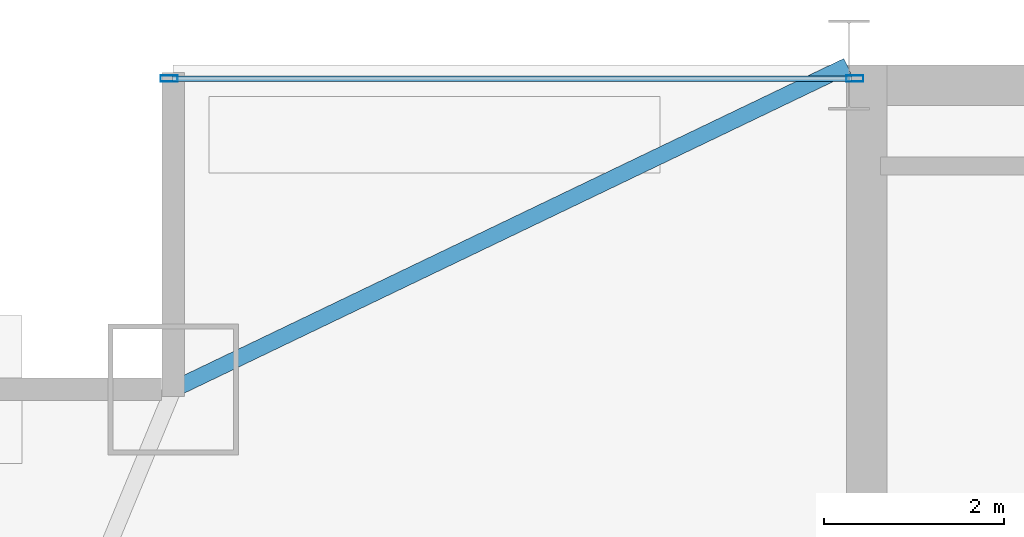
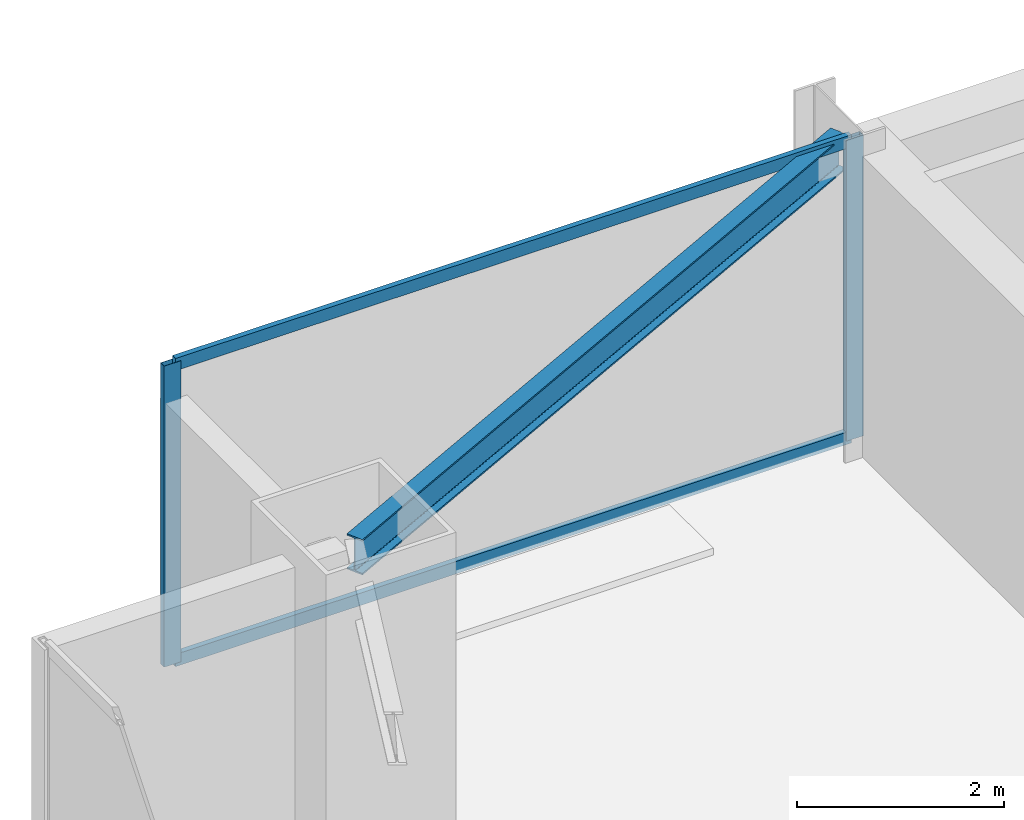
# One storey, part 22 of 35: 4 members, 1 beam, 1 element without a shape of its own.
"""IFC4 building model written with IfcOpenShell, lengths in metres."""

from ifc_helpers import new_model, si_unit, direction, frame, origin, origin_2d, place, context, subcontext, project, spatial, hollow_rectangle, i_section, extrude, source, transform, mapped, material, layer, layer_set, material_profile, profile_set, type_object, type_shapes, element, aggregate, save


model = new_model("IFC4")

# Units and contexts
model_context = context("Model", 3, precision=1e-05, world=origin(), true_north=direction((0.0, 1.0)))
body_context = subcontext(model_context, "Body", "Model", "MODEL_VIEW")
ifc_project = project(units=[si_unit("LENGTHUNIT", "METRE"), si_unit("AREAUNIT", "SQUARE_METRE"), si_unit("VOLUMEUNIT", "CUBIC_METRE"), si_unit("PLANEANGLEUNIT", "RADIAN"), si_unit("MASSUNIT", "GRAM", prefix="KILO")], contexts=[model_context])

# Site, building, storey
site_placement = place(None, origin())
site = spatial("IfcSite", under=ifc_project, at=site_placement, CompositionType="ELEMENT")
building_placement = place(site_placement, origin())
building = spatial("IfcBuilding", under=site, at=building_placement, Name="Varnel Quay Broadcast Tower", CompositionType="ELEMENT")
storey_placement = place(building_placement, frame((0.0, 0.0, 87.0)))
storey = spatial("IfcBuildingStorey", under=building, at=storey_placement, Name="L20", CompositionType="ELEMENT", Elevation=87.0)

# Beam
ifc_material_1 = material(Name="Structural Steel CSA G40.21 350W", Category="steel")
ifc_material_profile_1 = material_profile(ifc_material_1, i_section(OverallWidth=0.180908203125, OverallDepth=0.4169921875, WebThickness=0.010986328125, FlangeThickness=0.018310546875, FilletRadius=0.011962890625, at=origin_2d()), Name="W410X85")
ifc_profile_set_1 = profile_set([ifc_material_profile_1], Name="Structural Steel CSA G40.21 350W")
beam_type = type_object("IfcBeamType", Name="Beam_W410X85", PredefinedType="SPANDREL", material=ifc_profile_set_1)
shared_shape_1 = source(origin(), body_context, "Body", "SweptSolid", [
    extrude(i_section(OverallWidth=0.180908203125, OverallDepth=0.4169921875, WebThickness=0.010986328125, FlangeThickness=0.018310546875, FilletRadius=0.011962890625, at=origin_2d()), origin(), (0.0, 0.0, 1.0), 8.279296875),
])
type_shapes(beam_type, [shared_shape_1])
beam_placement = place(storey_placement, frame((8.117919921875, 43.208740234375, 3.341552734375), z_axis=(0.901535021024, 0.432706142626, 0.0), x_axis=(-0.432706142626, 0.901535021024, 0.0)))
element("IfcBeam", 1, at=beam_placement, inside=storey, type_object=beam_type, Name="L20 NW Tie Spandrel", PredefinedType="SPANDREL", context=body_context, shape_type="MappedRepresentation", body=[
    mapped(shared_shape_1, transform((0.0, 0.0, 0.0), x_axis=(1.0, 0.0, 0.0), y_axis=(0.0, 1.0, 0.0), z_axis=(0.0, 0.0, 1.0), scale=1.0)),
])

# Curtain wall, members
ifc_material_2 = material(Name="Anodised Bronze Aluminium 6063-T6", Category="aluminium")
ifc_layer = layer(ifc_material_2, 0.18994140625, Name="Anodised Bronze Aluminium 6063-T6")
ifc_layer_set = layer_set([ifc_layer], Name="Anodised Bronze Aluminium 6063-T6")
curtain_wall_type = type_object("IfcCurtainWallType", Name="CW_LowerTower", PredefinedType="NOTDEFINED", material=ifc_layer_set)
curtain_wall_placement = place(storey_placement, origin())
curtain_wall = element("IfcCurtainWall", 2, at=curtain_wall_placement, inside=storey, type_object=curtain_wall_type, Name="L20 NW Wing Curtain Wall", PredefinedType="NOTDEFINED")
ifc_material_profile_2 = material_profile(ifc_material_2, hollow_rectangle(XDim=0.070068359375, YDim=0.18994140625, WallThickness=0.00390625, at=origin_2d()), Name="ALU70X190X4")
ifc_profile_set_2 = profile_set([ifc_material_profile_2], Name="Anodised Bronze Aluminium 6063-T6")
member_type_1 = type_object("IfcMemberType", Name="Mull_CWS-02", PredefinedType="MULLION", material=ifc_profile_set_2)
shared_shape_2 = source(origin(), body_context, "Body", "SweptSolid", [
    extrude(hollow_rectangle(XDim=0.070068359375, YDim=0.18994140625, WallThickness=0.00390625, at=origin_2d()), origin(), (0.0, 0.0, 1.0), 3.550048828125),
])
type_shapes(member_type_1, [shared_shape_2])
member_1_placement = place(storey_placement, frame((8.054931640625, 46.64990234375, 0.0), z_axis=(0.0, 0.0, 1.0), x_axis=(0.0, 1.0, 0.0)))
member_1 = element("IfcMember", 3, at=member_1_placement, type_object=member_type_1, Name="CWS-02 mullion 1", PredefinedType="MULLION", context=body_context, shape_type="MappedRepresentation", body=[
    mapped(shared_shape_2, transform((0.0, 0.0, 0.0), x_axis=(1.0, 0.0, 0.0), y_axis=(0.0, 1.0, 0.0), z_axis=(0.0, 0.0, 1.0), scale=1.0)),
])
member_2_placement = place(storey_placement, frame((15.6650390625, 46.64990234375, 0.0), z_axis=(0.0, 0.0, 1.0), x_axis=(0.0, 1.0, 0.0)))
member_2 = element("IfcMember", 4, at=member_2_placement, type_object=member_type_1, Name="CWS-02 mullion 2", PredefinedType="MULLION", context=body_context, shape_type="MappedRepresentation", body=[
    mapped(shared_shape_2, transform((0.0, 0.0, 0.0), x_axis=(1.0, 0.0, 0.0), y_axis=(0.0, 1.0, 0.0), z_axis=(0.0, 0.0, 1.0), scale=1.0)),
])
ifc_material_profile_3 = material_profile(ifc_material_2, hollow_rectangle(XDim=0.06005859375, YDim=0.14501953125, WallThickness=0.00341796875, at=origin_2d()), Name="ALU60X145X3.5")
ifc_profile_set_3 = profile_set([ifc_material_profile_3], Name="Anodised Bronze Aluminium 6063-T6")
member_type_2 = type_object("IfcMemberType", Name="Tran_CWS-02", PredefinedType="USERDEFINED", material=ifc_profile_set_3)
shared_shape_3 = source(origin(), body_context, "Body", "SweptSolid", [
    extrude(hollow_rectangle(XDim=0.06005859375, YDim=0.14501953125, WallThickness=0.00341796875, at=origin_2d()), origin(), (0.0, 0.0, 1.0), 7.539794921875),
])
type_shapes(member_type_2, [shared_shape_3])
member_3_placement = place(storey_placement, frame((8.090087890625, 46.64990234375, 0.030029296875), z_axis=(1.0, 0.0, 0.0), x_axis=(0.0, 1.0, 0.0)))
member_3 = element("IfcMember", 5, at=member_3_placement, type_object=member_type_2, Name="CWS-02 transom 1.1", ObjectType="TRANSOM", PredefinedType="USERDEFINED", context=body_context, shape_type="MappedRepresentation", body=[
    mapped(shared_shape_3, transform((0.0, 0.0, 0.0), x_axis=(1.0, 0.0, 0.0), y_axis=(0.0, 1.0, 0.0), z_axis=(0.0, 0.0, 1.0), scale=1.0)),
])
member_4_placement = place(storey_placement, frame((8.090087890625, 46.64990234375, 3.52001953125), z_axis=(1.0, 0.0, 0.0), x_axis=(0.0, 1.0, 0.0)))
member_4 = element("IfcMember", 6, at=member_4_placement, type_object=member_type_2, Name="CWS-02 transom 1.2", ObjectType="TRANSOM", PredefinedType="USERDEFINED", context=body_context, shape_type="MappedRepresentation", body=[
    mapped(shared_shape_3, transform((0.0, 0.0, 0.0), x_axis=(1.0, 0.0, 0.0), y_axis=(0.0, 1.0, 0.0), z_axis=(0.0, 0.0, 1.0), scale=1.0)),
])
aggregate(curtain_wall, [member_1, member_2, member_3, member_4])

save(model, "model.ifc")
